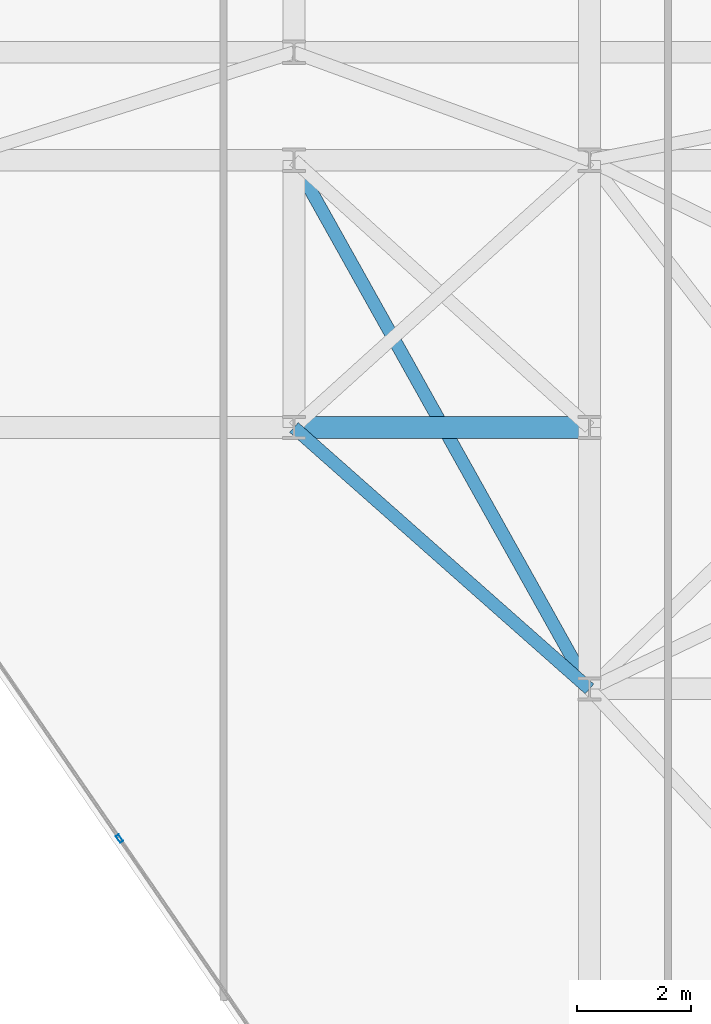
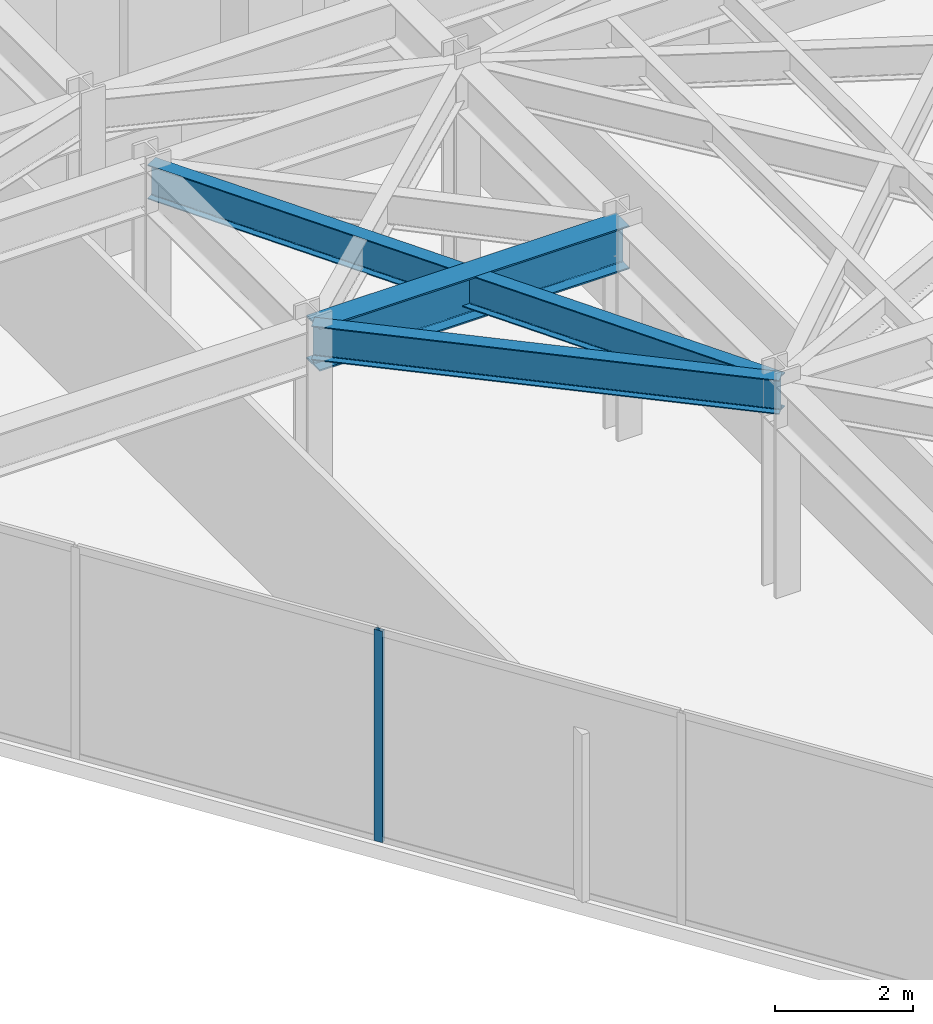
# One storey, part 18 of 27: 3 beams, 1 member, 1 element without a shape of its own.
"""IFC4 building model written with IfcOpenShell, lengths in metres."""

from ifc_helpers import new_model, si_unit, direction, frame, origin, origin_2d, place, context, subcontext, project, spatial, hollow_rectangle, i_section, extrude, material, layer, layer_set, material_profile, profile_set, type_object, element, aggregate, save


model = new_model("IFC4")

# Units and contexts
model_context = context("Model", 3, precision=1e-05, world=origin(), true_north=direction((0.0, 1.0)))
body_context = subcontext(model_context, "Body", "Model", "MODEL_VIEW")
ifc_project = project(units=[si_unit("LENGTHUNIT", "METRE"), si_unit("AREAUNIT", "SQUARE_METRE"), si_unit("VOLUMEUNIT", "CUBIC_METRE"), si_unit("PLANEANGLEUNIT", "RADIAN"), si_unit("MASSUNIT", "GRAM", prefix="KILO")], contexts=[model_context])

# Site, building, storey
site_placement = place(None, origin())
site = spatial("IfcSite", under=ifc_project, at=site_placement, CompositionType="ELEMENT")
building_placement = place(site_placement, origin())
building = spatial("IfcBuilding", under=site, at=building_placement, Name="Kravanh Interchange Tower", CompositionType="ELEMENT")
storey_placement = place(building_placement, frame((0.0, 0.0, 188.5)))
storey = spatial("IfcBuildingStorey", under=building, at=storey_placement, Name="L45", CompositionType="ELEMENT", Elevation=188.5)

# Curtain wall, member
ifc_material_1 = material(Name="Anodised Bronze Aluminium", Category="aluminium")
ifc_layer = layer(ifc_material_1, 0.179931640625)
ifc_layer_set = layer_set([ifc_layer], Name="Unitised Curtain Wall System CW-Z3 Upper Office")
curtain_wall_type = type_object("IfcCurtainWallType", Name="Unitised Curtain Wall System CW-Z3 Upper Office", PredefinedType="NOTDEFINED", material=ifc_layer_set)
curtain_wall_placement = place(storey_placement, origin())
curtain_wall = element("IfcCurtainWall", 1, at=curtain_wall_placement, inside=storey, type_object=curtain_wall_type, Name="L45 Unitised Curtain Wall CW-L45-04", PredefinedType="NOTDEFINED")
ifc_material_2 = material(Name="Anodised Bronze Aluminium", Category="aluminium")
ifc_material_profile_1 = material_profile(ifc_material_2, hollow_rectangle(XDim=0.06005859375, YDim=0.139892578125, WallThickness=0.00390625, at=origin_2d()), Name="ALU60X140X4")
ifc_profile_set_1 = profile_set([ifc_material_profile_1], Name="Anodised Bronze Aluminium")
member_type = type_object("IfcMemberType", Name="Curtain Wall Mullion ALU60X140X4 Bronze", PredefinedType="MULLION", material=ifc_profile_set_1)
member_placement = place(storey_placement, frame((47.7314453125, 19.56591796875, 0.0), z_axis=(0.0, 0.0, 1.0), x_axis=(-0.824042223035, -0.566528388217, 0.0)))
member = element("IfcMember", 2, at=member_placement, type_object=member_type, Name="CW-Z3 mullion 3", PredefinedType="MULLION", context=body_context, shape_type="SweptSolid", body=[
    extrude(hollow_rectangle(XDim=0.06005859375, YDim=0.139892578125, WallThickness=0.00390625, at=origin_2d()), origin(), (0.0, 0.0, 1.0), 3.7548828125),
])
aggregate(curtain_wall, [member])

# Beams
ifc_material_3 = material(Name="Structural Steel S355", Category="steel")
ifc_material_profile_2 = material_profile(ifc_material_3, i_section(OverallWidth=0.381103515625, OverallDepth=0.77294921875, WebThickness=0.0166015625, FlangeThickness=0.027099609375, FilletRadius=0.02490234375, at=origin_2d()), Name="W30X173")
ifc_profile_set_2 = profile_set([ifc_material_profile_2], Name="Structural Steel S355")
beam_type_1 = type_object("IfcBeamType", Name="Floor Beam W30X173 Structural Steel S355", PredefinedType="BEAM", material=ifc_profile_set_2)
beam_1_placement = place(storey_placement, frame((50.800048828125, 26.800048828125, 3.368408203125), z_axis=(1.0, 0.0, 0.0), x_axis=(0.0, 1.0, 0.0)))
element("IfcBeam", 3, at=beam_1_placement, inside=storey, type_object=beam_type_1, Name="L45 Primary Floor Girder 50", PredefinedType="BEAM", context=body_context, shape_type="SweptSolid", body=[
    extrude(i_section(OverallWidth=0.381103515625, OverallDepth=0.77294921875, WebThickness=0.0166015625, FlangeThickness=0.027099609375, FilletRadius=0.02490234375, at=origin_2d()), origin(), (0.0, 0.0, 1.0), 5.199951171875),
])
ifc_material_4 = material(Name="Structural Steel S355", Category="steel")
ifc_material_profile_3 = material_profile(ifc_material_4, i_section(OverallWidth=0.22802734375, OverallDepth=0.60791015625, WebThickness=0.01123046875, FlangeThickness=0.017333984375, FilletRadius=0.02197265625, at=origin_2d()), Name="W24X76")
ifc_profile_set_3 = profile_set([ifc_material_profile_3], Name="Structural Steel S355")
beam_type_2 = type_object("IfcBeamType", Name="Floor Spandrel W24X76 Structural Steel S355", PredefinedType="SPANDREL", material=ifc_profile_set_3)
beam_2_placement = place(storey_placement, frame((50.800048828125, 26.800048828125, 3.450927734375), z_axis=(0.74898649432, -0.662585263439, 0.0), x_axis=(0.662585263439, 0.74898649432, 0.0)))
element("IfcBeam", 4, at=beam_2_placement, inside=storey, type_object=beam_type_2, Name="L45 Perimeter Spandrel 51", PredefinedType="SPANDREL", context=body_context, shape_type="SweptSolid", body=[
    extrude(i_section(OverallWidth=0.22802734375, OverallDepth=0.60791015625, WebThickness=0.01123046875, FlangeThickness=0.017333984375, FilletRadius=0.02197265625, at=origin_2d()), origin(), (0.0, 0.0, 1.0), 6.942626953125),
])
beam_3_placement = place(storey_placement, frame((50.800048828125, 31.5, 3.450927734375), z_axis=(0.488026248114, -0.872828952975, 0.0), x_axis=(0.872828952975, 0.488026248114, 0.0)))
element("IfcBeam", 5, at=beam_3_placement, inside=storey, type_object=beam_type_2, Name="L45 Perimeter Spandrel 78", PredefinedType="SPANDREL", context=body_context, shape_type="SweptSolid", body=[
    extrude(i_section(OverallWidth=0.22802734375, OverallDepth=0.60791015625, WebThickness=0.01123046875, FlangeThickness=0.017333984375, FilletRadius=0.02197265625, at=origin_2d()), origin(), (0.0, 0.0, 1.0), 10.655029296875),
])

save(model, "model.ifc")
